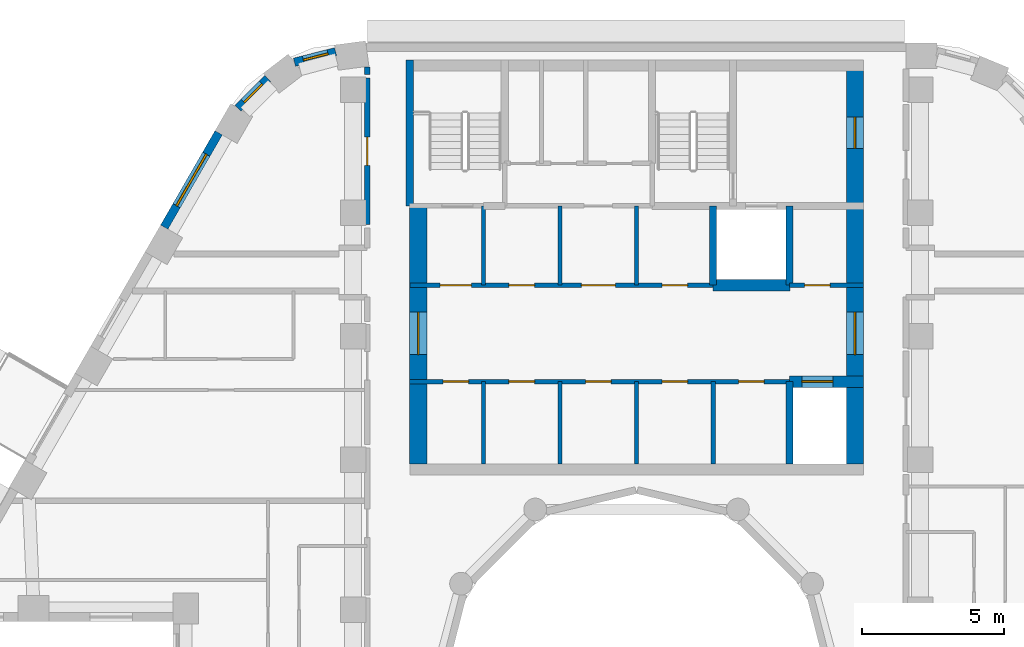
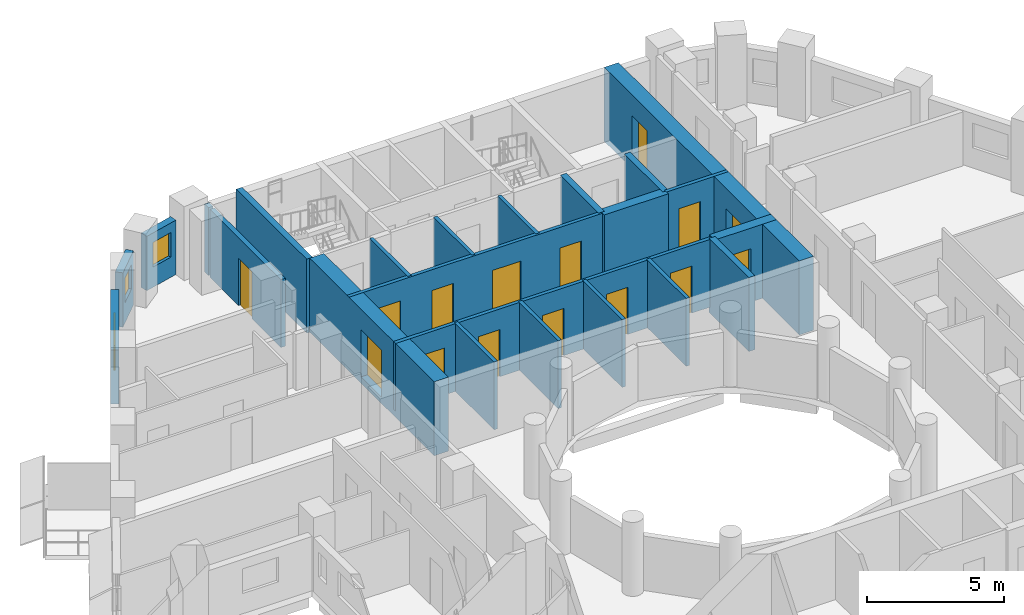
# One storey, part 7 of 13: 23 walls, 15 doors, 3 windows, 18 openings.
"""IFC4 building model written with IfcOpenShell, lengths in metres."""

import ifcopenshell
import ifcopenshell.guid

model = None  # the IFC model being written
_history = None  # IfcOwnerHistory: only IFC2X3 demands one
_inside = {}  # id of a spatial element -> (the spatial element, [elements in it])
_under = {}  # id of a project, library or spatial element -> (it, [spatial elements below it])
_declared = {}  # id of a project -> (the project, [libraries it declares])
_typed = {}  # id of a type object -> (the type object, [elements of that type])
_made_of = {}  # id of a material, layer set ... -> (it, [elements and type objects made of it])


def new_model(schema):
    """Start an empty IFC model of exactly this schema.

    Asked for "IFC4X3", IfcOpenShell would pick the latest addendum, in which some entities
    have other attributes; the version numbers below select the first issue.
    IFC2X3 requires an IfcOwnerHistory on every rooted entity: one is made here for all.
    """
    global model, _history
    if schema == "IFC4X3":
        model = ifcopenshell.file(schema_version=(4, 3, 0, 0))
    else:
        model = ifcopenshell.file(schema=schema)
    _inside.clear()
    _under.clear()
    _declared.clear()
    _typed.clear()
    _made_of.clear()
    _history = None
    if model.schema == "IFC2X3":
        org = make("IfcOrganization", Name="unknown")
        user = make(
            "IfcPersonAndOrganization",
            ThePerson=make("IfcPerson", FamilyName="unknown"),
            TheOrganization=org,
        )
        app = make(
            "IfcApplication",
            ApplicationDeveloper=org,
            Version="unknown",
            ApplicationFullName="unknown",
            ApplicationIdentifier="unknown",
        )
        _history = make(
            "IfcOwnerHistory",
            OwningUser=user,
            OwningApplication=app,
            ChangeAction="ADDED",
            CreationDate=0,
        )
    return model


def make(cls, **values):
    """One entity of the class cls with the attributes given. An attribute that is None is left unset."""
    return model.create_entity(
        cls, **{name: value for name, value in values.items() if value is not None}
    )


def rooted(cls, **values):
    """An entity with a GlobalId (a new one), such as an element, a storey or a relation."""
    return make(cls, GlobalId=ifcopenshell.guid.new(), OwnerHistory=_history, **values)


def si_unit(unit_type, name, prefix=None):
    """IfcSIUnit, for example si_unit("LENGTHUNIT", "METRE", prefix="MILLI")."""
    return make("IfcSIUnit", UnitType=unit_type, Prefix=prefix, Name=name)


def assignment(units):
    """IfcUnitAssignment: the units of a project."""
    return None if units is None else make("IfcUnitAssignment", Units=units)


def point(xyz):
    """IfcCartesianPoint."""
    return None if xyz is None else make("IfcCartesianPoint", Coordinates=xyz)


def direction(xyz):
    """IfcDirection."""
    return None if xyz is None else make("IfcDirection", DirectionRatios=xyz)


def frame(location, z_axis=None, x_axis=None):
    """IfcAxis2Placement3D, a coordinate frame: its origin and axes. An axis left out is left unset."""
    return make(
        "IfcAxis2Placement3D",
        Location=point(location),
        Axis=direction(z_axis),
        RefDirection=direction(x_axis),
    )


def frame_2d(location, x_axis=None):
    """IfcAxis2Placement2D, a coordinate frame in the plane: its origin and x axis."""
    return make(
        "IfcAxis2Placement2D", Location=point(location), RefDirection=direction(x_axis)
    )


def origin():
    """The frame at (0, 0, 0) with its axes left unset."""
    return frame((0.0, 0.0, 0.0))


def place(relative_to, where):
    """IfcLocalPlacement: puts the frame where relative to a parent placement (None: the world)."""
    return make(
        "IfcLocalPlacement", PlacementRelTo=relative_to, RelativePlacement=where
    )


def context(
    kind, dimensions, precision=None, world=None, true_north=None, identifier=None
):
    """IfcGeometricRepresentationContext, for example the 3D "Model" context."""
    return make(
        "IfcGeometricRepresentationContext",
        ContextIdentifier=identifier,
        ContextType=kind,
        CoordinateSpaceDimension=dimensions,
        Precision=precision,
        WorldCoordinateSystem=world,
        TrueNorth=true_north,
    )


def subcontext(parent, identifier, kind, view, scale=None):
    """IfcGeometricRepresentationSubContext, for example "Body" below "Model"."""
    return make(
        "IfcGeometricRepresentationSubContext",
        ContextIdentifier=identifier,
        ContextType=kind,
        ParentContext=parent,
        TargetScale=scale,
        TargetView=view,
    )


def project(units=None, contexts=None):
    """IfcProject with its units and contexts."""
    return rooted(
        "IfcProject",
        Name="project",
        RepresentationContexts=contexts,
        UnitsInContext=assignment(units),
    )


def spatial(cls, under=None, at=None, **own):
    """A site, building, storey or space (cls), placed at a placement, below another one or the project."""
    s = rooted(cls, ObjectPlacement=at, **own)
    if under is not None:
        _under.setdefault(under.id(), (under, []))[1].append(s)
    return s


def profile(cls, at=None, kind="AREA", **sizes):
    """A parametric profile (cls). Its sizes go by their IFC names, for example OverallWidth=200.0."""
    return make(cls, ProfileType=kind, Position=at, **sizes)


def rectangle(**sizes):
    """IfcRectangleProfileDef."""
    return profile("IfcRectangleProfileDef", **sizes)


def extrude(swept, where, along, depth):
    """IfcExtrudedAreaSolid: the profile swept, set in the frame where, extruded along a direction by depth."""
    return make(
        "IfcExtrudedAreaSolid",
        SweptArea=swept,
        Position=where,
        ExtrudedDirection=direction(along),
        Depth=depth,
    )


def shape(context_of_items, identifier, shape_type, items):
    """IfcShapeRepresentation: the items that make up one representation, for example the "Body"."""
    return make(
        "IfcShapeRepresentation",
        ContextOfItems=context_of_items,
        RepresentationIdentifier=identifier,
        RepresentationType=shape_type,
        Items=items,
    )


def material(Name=None, Category=None):
    """IfcMaterial."""
    return make("IfcMaterial", Name=Name, Category=Category)


def layer(
    of_material, thickness, ventilated=None, Name=None, Category=None, Priority=None
):
    """IfcMaterialLayer: one layer of a wall or slab, of a material (None: an air gap)."""
    return make(
        "IfcMaterialLayer",
        Material=of_material,
        LayerThickness=thickness,
        IsVentilated=ventilated,
        Name=Name,
        Category=Category,
        Priority=Priority,
    )


def layer_set(layers, Name=None):
    """IfcMaterialLayerSet."""
    return make("IfcMaterialLayerSet", MaterialLayers=layers, LayerSetName=Name)


def made_of(thing, what):
    """Note that an element or type object is made of a material, layer set ...; save() writes the relation."""
    if what is not None:
        _made_of.setdefault(what.id(), (what, []))[1].append(thing)
    return thing


def type_object(cls, material=None, **own):
    """A type object (cls), such as IfcWallType, which elements share."""
    return made_of(rooted(cls, **own), material)


def element(
    cls,
    number,
    at=None,
    inside=None,
    cuts=None,
    type_object=None,
    material=None,
    context=None,
    identifier="Body",
    shape_type=None,
    held_by="IfcProductDefinitionShape",
    body=None,
    shapes=None,
    **own,
):
    """One element of the class cls, such as IfcWall. Its Tag is "e" and its number.

    at: its placement. inside: the storey or other place that contains it. cuts: it is an
    opening in that element (IfcRelVoidsElement). A single representation is given by context,
    identifier, shape_type and body (its items); several are given by shapes. held_by: the class
    of the entity that holds the representations. save() writes the other relations.
    """
    e = rooted(cls, Tag="e%d" % number, ObjectPlacement=at, **own)
    if body is not None:
        shapes = [shape(context, identifier, shape_type, body)]
    if shapes is not None:
        e.Representation = make(held_by, Representations=shapes)
    if inside is not None:
        _inside.setdefault(inside.id(), (inside, []))[1].append(e)
    if cuts is not None:
        rooted(
            "IfcRelVoidsElement", RelatingBuildingElement=cuts, RelatedOpeningElement=e
        )
    if type_object is not None:
        _typed.setdefault(type_object.id(), (type_object, []))[1].append(e)
    return made_of(e, material)


def fill(opening, filler):
    """IfcRelFillsElement: the door or window that sits in an opening."""
    return rooted(
        "IfcRelFillsElement",
        RelatingOpeningElement=opening,
        RelatedBuildingElement=filler,
    )


def aggregate(whole, parts):
    """IfcRelAggregates: a whole, such as a stair, and the parts it consists of."""
    return rooted("IfcRelAggregates", RelatingObject=whole, RelatedObjects=parts)


def save(model, path):
    """Write the relations noted so far, then the file.

    IfcRelAggregates (storeys below a building ...), IfcRelContainedInSpatialStructure (elements
    in a storey), IfcRelDefinesByType, IfcRelAssociatesMaterial and IfcRelDeclares: one each for
    every whole, place, type object, material and project.
    """
    for whole, parts in _under.values():
        aggregate(whole, parts)
    for where, things in _inside.values():
        rooted(
            "IfcRelContainedInSpatialStructure",
            RelatedElements=things,
            RelatingStructure=where,
        )
    for kind, things in _typed.values():
        rooted("IfcRelDefinesByType", RelatedObjects=things, RelatingType=kind)
    for what, things in _made_of.values():
        rooted("IfcRelAssociatesMaterial", RelatedObjects=things, RelatingMaterial=what)
    for by, libraries in _declared.values():
        rooted("IfcRelDeclares", RelatingContext=by, RelatedDefinitions=libraries)
    model.write(path)


model = new_model("IFC4")

# Units and contexts
model_context = context("Model", 3, precision=1e-05, world=origin(), true_north=direction((0.0, 1.0)))
body_context = subcontext(model_context, "Body", "Model", "MODEL_VIEW")
ifc_project = project(units=[si_unit("LENGTHUNIT", "METRE"), si_unit("AREAUNIT", "SQUARE_METRE"), si_unit("VOLUMEUNIT", "CUBIC_METRE"), si_unit("PLANEANGLEUNIT", "RADIAN"), si_unit("MASSUNIT", "GRAM", prefix="KILO")], contexts=[model_context])

# Site, building, storey
site_placement = place(None, origin())
site = spatial("IfcSite", under=ifc_project, at=site_placement, CompositionType="ELEMENT")
building_placement = place(site_placement, origin())
building = spatial("IfcBuilding", under=site, at=building_placement, Name="Nakaniwa Court", CompositionType="ELEMENT")
storey_placement = place(building_placement, frame((0.0, 0.0, 239.39990234375)))
storey = spatial("IfcBuildingStorey", under=building, at=storey_placement, Name="L62", CompositionType="ELEMENT", Elevation=239.39990234375)

# Wall, opening, door
ifc_material_1 = material(Name="Acoustic double stud partition")
ifc_layer_1 = layer(ifc_material_1, 0.199951171875)
ifc_layer_set_1 = layer_set([ifc_layer_1], Name="Acoustic double stud partition")
wall_type_1 = type_object("IfcWallType", Name="Acoustic double stud partition 200", PredefinedType="PARTITIONING", material=ifc_layer_set_1)
wall_1_placement = place(storey_placement, frame((70.5, 96.237060546875, 0.0), z_axis=(0.0, 0.0, 1.0), x_axis=(0.0, 1.0, 0.0)))
wall_1 = element("IfcWall", 1, at=wall_1_placement, inside=storey, type_object=wall_type_1, Name="Partition PW-099", PredefinedType="PARTITIONING", context=body_context, shape_type="SweptSolid", body=[
    extrude(rectangle(XDim=5.176025390625, YDim=0.199951171875, at=frame_2d((2.587890625, 0.0))), origin(), (0.0, 0.0, 1.0), 3.025146484375),
])
opening_1_placement = place(wall_1_placement, frame((2.087890625, 0.0, 0.0)))
opening_1 = element("IfcOpeningElement", 2, at=opening_1_placement, cuts=wall_1, Name="Opening D-02-06", PredefinedType="OPENING", context=body_context, shape_type="SweptSolid", body=[
    extrude(rectangle(XDim=1.0, YDim=2.10009765625, at=frame_2d((0.5, 1.050048828125))), frame((0.0, 0.10986328125, 0.0), z_axis=(0.0, -1.0, 0.0), x_axis=(1.0, 0.0, 0.0)), (0.0, 0.0, 1.0), 0.219970703125),
])
ifc_material_2 = material(Name="Solid core timber door set, black veneer", Category="wood")
door_type_1 = type_object("IfcDoorType", Name="Internal door 1000", OperationType="NOTDEFINED", PredefinedType="DOOR", material=ifc_material_2)
door_1_placement = place(opening_1_placement, origin())
door_1 = element("IfcDoor", 3, at=door_1_placement, inside=storey, type_object=door_type_1, Name="Door D-02-06 L62-062", OperationType="SINGLE_SWING_LEFT", OverallHeight=2.10009765625, OverallWidth=1.0, PredefinedType="DOOR", context=body_context, shape_type="SweptSolid", body=[
    extrude(rectangle(XDim=1.0, YDim=2.10009765625, at=frame_2d((0.5, 1.050048828125))), frame((0.0, 0.02490234375, 0.0), z_axis=(0.0, -1.0, 0.0), x_axis=(1.0, 0.0, 0.0)), (0.0, 0.0, 1.0), 0.050048828125),
])
fill(opening_1, door_1)

# Wall
wall_2_placement = place(storey_placement, frame((70.5, 101.527099609375, 0.0), z_axis=(0.0, 0.0, 1.0), x_axis=(0.0, 1.0, 0.0)))
element("IfcWall", 4, at=wall_2_placement, inside=storey, type_object=wall_type_1, Name="Partition PW-100", PredefinedType="PARTITIONING", context=body_context, shape_type="SweptSolid", body=[
    extrude(rectangle(XDim=0.273681640625, YDim=0.199951171875, at=frame_2d((0.13671875, 0.0))), origin(), (0.0, 0.0, 1.0), 3.025146484375),
])

# Wall, opening, window
ifc_material_3 = material(Name="Charcoal ceramic cladding")
ifc_layer_2 = layer(ifc_material_3, 0.02, Name="Ceramic cladding")
ifc_material_4 = material(Name="Ventilated air cavity")
ifc_layer_3 = layer(ifc_material_4, 0.04, ventilated=True, Name="Ventilated cavity")
ifc_material_5 = material(Name="Mineral wool insulation")
ifc_layer_4 = layer(ifc_material_5, 0.1, Name="Insulation")
ifc_material_6 = material(Name="Cement bonded sheathing board")
ifc_layer_5 = layer(ifc_material_6, 0.012, Name="Sheathing")
ifc_material_7 = material(Name="Cold-formed galvanised stud frame with mineral wool infill")
ifc_layer_6 = layer(ifc_material_7, 0.1, Name="Stud frame")
ifc_material_8 = material(Name="Fire-rated gypsum plasterboard lining")
ifc_layer_7 = layer(ifc_material_8, 0.028, Name="Lining")
ifc_layer_set_2 = layer_set([ifc_layer_2, ifc_layer_3, ifc_layer_4, ifc_layer_5, ifc_layer_6, ifc_layer_7], Name="Charcoal ceramic faced external wall system")
wall_type_2 = type_object("IfcWallType", Name="Black ceramic faced external wall 300", PredefinedType="SOLIDWALL", material=ifc_layer_set_2)
wall_3_placement = place(storey_placement, frame((69.386474609375, 102.333251953125, 0.0), z_axis=(0.0, 0.0, 1.0), x_axis=(-0.968895303033, -0.247470991757, 0.0)))
wall_3 = element("IfcWall", 5, at=wall_3_placement, inside=storey, type_object=wall_type_2, Name="L62 external wall 09", PredefinedType="SOLIDWALL", context=body_context, shape_type="SweptSolid", body=[
    extrude(rectangle(XDim=1.50048828125, YDim=0.300048828125, at=frame_2d((0.750244140625, 0.0))), origin(), (0.0, 0.0, 1.0), 2.425048828125),
])
opening_2_placement = place(wall_3_placement, frame((0.27587890625, 0.0, 0.89990234375)))
opening_2 = element("IfcOpeningElement", 6, at=opening_2_placement, cuts=wall_3, Name="Opening W9.09", PredefinedType="OPENING", context=body_context, shape_type="SweptSolid", body=[
    extrude(rectangle(XDim=0.89990234375, YDim=1.10009765625, at=frame_2d((0.449951171875, 0.550048828125))), frame((0.0, 0.159912109375, 0.0), z_axis=(0.0, -1.0, 0.0), x_axis=(1.0, 0.0, 0.0)), (0.0, 0.0, 1.0), 0.320068359375),
])
ifc_material_9 = material(Name="Black anodised aluminium frame with dark low-E laminated double glazing", Category="aluminium")
window_type_1 = type_object("IfcWindowType", Name="Dark glass window 900x1100 sill 900", PartitioningType="SINGLE_PANEL", PredefinedType="WINDOW", material=ifc_material_9)
window_1_placement = place(opening_2_placement, origin())
window_1 = element("IfcWindow", 7, at=window_1_placement, inside=storey, type_object=window_type_1, Name="L62 habitable room window 09-0", OverallHeight=1.10009765625, OverallWidth=0.89990234375, PartitioningType="SINGLE_PANEL", PredefinedType="WINDOW", context=body_context, shape_type="SweptSolid", body=[
    extrude(rectangle(XDim=0.89990234375, YDim=1.10009765625, at=frame_2d((0.449951171875, 0.550048828125))), frame((0.0, 0.030029296875, 0.0), z_axis=(0.0, -1.0, 0.0), x_axis=(1.0, 0.0, 0.0)), (0.0, 0.0, 1.0), 0.06005859375),
])
fill(opening_2, window_1)

wall_4_placement = place(storey_placement, frame((66.99560546875, 101.388427734375, 0.0), z_axis=(0.0, 0.0, 1.0), x_axis=(-0.708589353117, -0.705621094249, 0.0)))
wall_4 = element("IfcWall", 8, at=wall_4_placement, inside=storey, type_object=wall_type_2, Name="L62 external wall 10", PredefinedType="SOLIDWALL", context=body_context, shape_type="SweptSolid", body=[
    extrude(rectangle(XDim=1.48046875, YDim=0.300048828125, at=frame_2d((0.740234375, 0.0))), origin(), (0.0, 0.0, 1.0), 2.425048828125),
])
opening_3_placement = place(wall_4_placement, frame((0.27978515625, 0.0, 0.89990234375)))
opening_3 = element("IfcOpeningElement", 9, at=opening_3_placement, cuts=wall_4, Name="Opening W9.10", PredefinedType="OPENING", context=body_context, shape_type="SweptSolid", body=[
    extrude(rectangle(XDim=0.89990234375, YDim=1.10009765625, at=frame_2d((0.449951171875, 0.550048828125))), frame((0.0, 0.159912109375, 0.0), z_axis=(0.0, -1.0, 0.0), x_axis=(1.0, 0.0, 0.0)), (0.0, 0.0, 1.0), 0.320068359375),
])
window_2_placement = place(opening_3_placement, origin())
window_2 = element("IfcWindow", 10, at=window_2_placement, inside=storey, type_object=window_type_1, Name="L62 habitable room window 10-0", OverallHeight=1.10009765625, OverallWidth=0.89990234375, PartitioningType="SINGLE_PANEL", PredefinedType="WINDOW", context=body_context, shape_type="SweptSolid", body=[
    extrude(rectangle(XDim=0.89990234375, YDim=1.10009765625, at=frame_2d((0.449951171875, 0.550048828125))), frame((0.0, 0.030029296875, 0.0), z_axis=(0.0, -1.0, 0.0), x_axis=(1.0, 0.0, 0.0)), (0.0, 0.0, 1.0), 0.06005859375),
])
fill(opening_3, window_2)

wall_5_placement = place(storey_placement, frame((65.26416015625, 99.476806640625, 0.0), z_axis=(0.0, 0.0, 1.0), x_axis=(-0.499984490703, -0.866034357896, 0.0)))
wall_5 = element("IfcWall", 11, at=wall_5_placement, inside=storey, type_object=wall_type_2, Name="L62 external wall 11", PredefinedType="SOLIDWALL", context=body_context, shape_type="SweptSolid", body=[
    extrude(rectangle(XDim=3.84423828125, YDim=0.300048828125, at=frame_2d((1.922119140625, 0.0))), origin(), (0.0, 0.0, 1.0), 2.425048828125),
])
opening_4_placement = place(wall_5_placement, frame((0.8720703125, 0.0, 0.89990234375)))
opening_4 = element("IfcOpeningElement", 12, at=opening_4_placement, cuts=wall_5, Name="Opening W7.11", PredefinedType="OPENING", context=body_context, shape_type="SweptSolid", body=[
    extrude(rectangle(XDim=2.10009765625, YDim=1.10009765625, at=frame_2d((1.050048828125, 0.550048828125))), frame((0.0, 0.159912109375, 0.0), z_axis=(0.0, -1.0, 0.0), x_axis=(1.0, 0.0, 0.0)), (0.0, 0.0, 1.0), 0.320068359375),
])
window_type_2 = type_object("IfcWindowType", Name="Dark glass window 2100x1100 sill 900", PartitioningType="SINGLE_PANEL", PredefinedType="WINDOW", material=ifc_material_9)
window_3_placement = place(opening_4_placement, origin())
window_3 = element("IfcWindow", 13, at=window_3_placement, inside=storey, type_object=window_type_2, Name="L62 habitable room window 11-0", OverallHeight=1.10009765625, OverallWidth=2.10009765625, PartitioningType="SINGLE_PANEL", PredefinedType="WINDOW", context=body_context, shape_type="SweptSolid", body=[
    extrude(rectangle(XDim=2.10009765625, YDim=1.10009765625, at=frame_2d((1.050048828125, 0.550048828125))), frame((0.0, 0.030029296875, 0.0), z_axis=(0.0, -1.0, 0.0), x_axis=(1.0, 0.0, 0.0)), (0.0, 0.0, 1.0), 0.06005859375),
])
fill(opening_4, window_3)

# Walls
ifc_material_10 = material(Name="Blockwork partition", Category="masonry")
ifc_layer_8 = layer(ifc_material_10, 0.14990234375)
ifc_layer_set_3 = layer_set([ifc_layer_8], Name="Blockwork partition")
wall_type_3 = type_object("IfcWallType", Name="Blockwork partition 150", PredefinedType="PARTITIONING", material=ifc_layer_set_3)
wall_6_placement = place(storey_placement, frame((74.60009765625, 87.800048828125, 0.0), z_axis=(0.0, 0.0, 1.0), x_axis=(0.0, 1.0, 0.0)))
element("IfcWall", 14, at=wall_6_placement, inside=storey, type_object=wall_type_3, Name="Partition PW-001", PredefinedType="PARTITIONING", context=body_context, shape_type="SweptSolid", body=[
    extrude(rectangle(XDim=2.89990234375, YDim=0.14990234375, at=frame_2d((1.449951171875, 0.0))), origin(), (0.0, 0.0, 1.0), 3.025146484375),
])
wall_7_placement = place(storey_placement, frame((74.60009765625, 94.10009765625, 0.0), z_axis=(0.0, 0.0, 1.0), x_axis=(0.0, 1.0, 0.0)))
element("IfcWall", 15, at=wall_7_placement, inside=storey, type_object=wall_type_3, Name="Partition PW-002", PredefinedType="PARTITIONING", context=body_context, shape_type="SweptSolid", body=[
    extrude(rectangle(XDim=2.7998046875, YDim=0.14990234375, at=frame_2d((1.39990234375, 0.0))), origin(), (0.0, 0.0, 1.0), 3.025146484375),
])

# Wall, openings, doors
wall_8_placement = place(storey_placement, frame((85.39990234375, 90.699951171875, 0.0), z_axis=(0.0, 0.0, 1.0), x_axis=(-1.0, 0.0, 0.0)))
wall_8 = element("IfcWall", 16, at=wall_8_placement, inside=storey, type_object=wall_type_3, Name="Partition PW-003", PredefinedType="PARTITIONING", context=body_context, shape_type="SweptSolid", body=[
    extrude(rectangle(XDim=13.39990234375, YDim=0.14990234375, at=frame_2d((6.699951171875, 0.0))), origin(), (0.0, 0.0, 1.0), 3.025146484375),
])
opening_5_placement = place(wall_8_placement, frame((11.324951171875, 0.0, 0.0)))
opening_5 = element("IfcOpeningElement", 17, at=opening_5_placement, cuts=wall_8, Name="Opening D-05-01", PredefinedType="OPENING", context=body_context, shape_type="SweptSolid", body=[
    extrude(rectangle(XDim=0.89990234375, YDim=2.10009765625, at=frame_2d((0.449951171875, 1.050048828125))), frame((0.0, 0.0849609375, 0.0), z_axis=(0.0, -1.0, 0.0), x_axis=(1.0, 0.0, 0.0)), (0.0, 0.0, 1.0), 0.169921875),
])
opening_6_placement = place(wall_8_placement, frame((9.0, 0.0, 0.0)))
opening_6 = element("IfcOpeningElement", 18, at=opening_6_placement, cuts=wall_8, Name="Opening D-05-02", PredefinedType="OPENING", context=body_context, shape_type="SweptSolid", body=[
    extrude(rectangle(XDim=0.89990234375, YDim=2.10009765625, at=frame_2d((0.449951171875, 1.050048828125))), frame((0.0, 0.0849609375, 0.0), z_axis=(0.0, -1.0, 0.0), x_axis=(1.0, 0.0, 0.0)), (0.0, 0.0, 1.0), 0.169921875),
])
opening_7_placement = place(wall_8_placement, frame((6.300048828125, 0.0, 0.0)))
opening_7 = element("IfcOpeningElement", 19, at=opening_7_placement, cuts=wall_8, Name="Opening D-05-03", PredefinedType="OPENING", context=body_context, shape_type="SweptSolid", body=[
    extrude(rectangle(XDim=0.89990234375, YDim=2.10009765625, at=frame_2d((0.449951171875, 1.050048828125))), frame((0.0, 0.0849609375, 0.0), z_axis=(0.0, -1.0, 0.0), x_axis=(1.0, 0.0, 0.0)), (0.0, 0.0, 1.0), 0.169921875),
])
opening_8_placement = place(wall_8_placement, frame((3.60009765625, 0.0, 0.0)))
opening_8 = element("IfcOpeningElement", 20, at=opening_8_placement, cuts=wall_8, Name="Opening D-05-04", PredefinedType="OPENING", context=body_context, shape_type="SweptSolid", body=[
    extrude(rectangle(XDim=0.89990234375, YDim=2.10009765625, at=frame_2d((0.449951171875, 1.050048828125))), frame((0.0, 0.0849609375, 0.0), z_axis=(0.0, -1.0, 0.0), x_axis=(1.0, 0.0, 0.0)), (0.0, 0.0, 1.0), 0.169921875),
])
opening_9_placement = place(wall_8_placement, frame((0.89990234375, 0.0, 0.0)))
opening_9 = element("IfcOpeningElement", 21, at=opening_9_placement, cuts=wall_8, Name="Opening D-05-05", PredefinedType="OPENING", context=body_context, shape_type="SweptSolid", body=[
    extrude(rectangle(XDim=0.89990234375, YDim=2.10009765625, at=frame_2d((0.449951171875, 1.050048828125))), frame((0.0, 0.0849609375, 0.0), z_axis=(0.0, -1.0, 0.0), x_axis=(1.0, 0.0, 0.0)), (0.0, 0.0, 1.0), 0.169921875),
])
ifc_material_11 = material(Name="Fire rated steel door set", Category="steel")
door_type_2 = type_object("IfcDoorType", Name="Service room door 900", OperationType="NOTDEFINED", PredefinedType="DOOR", material=ifc_material_11)
door_2_placement = place(opening_5_placement, origin())
door_2 = element("IfcDoor", 22, at=door_2_placement, inside=storey, type_object=door_type_2, Name="Door D-05-01 L62-001", OperationType="SINGLE_SWING_RIGHT", OverallHeight=2.10009765625, OverallWidth=0.89990234375, PredefinedType="DOOR", context=body_context, shape_type="SweptSolid", body=[
    extrude(rectangle(XDim=0.89990234375, YDim=2.10009765625, at=frame_2d((0.449951171875, 1.050048828125))), frame((0.0, 0.02490234375, 0.0), z_axis=(0.0, -1.0, 0.0), x_axis=(1.0, 0.0, 0.0)), (0.0, 0.0, 1.0), 0.050048828125),
])
fill(opening_5, door_2)
door_3_placement = place(opening_6_placement, origin())
door_3 = element("IfcDoor", 23, at=door_3_placement, inside=storey, type_object=door_type_2, Name="Door D-05-02 L62-002", OperationType="SINGLE_SWING_LEFT", OverallHeight=2.10009765625, OverallWidth=0.89990234375, PredefinedType="DOOR", context=body_context, shape_type="SweptSolid", body=[
    extrude(rectangle(XDim=0.89990234375, YDim=2.10009765625, at=frame_2d((0.449951171875, 1.050048828125))), frame((0.0, 0.02490234375, 0.0), z_axis=(0.0, -1.0, 0.0), x_axis=(1.0, 0.0, 0.0)), (0.0, 0.0, 1.0), 0.050048828125),
])
fill(opening_6, door_3)
door_4_placement = place(opening_7_placement, origin())
door_4 = element("IfcDoor", 24, at=door_4_placement, inside=storey, type_object=door_type_2, Name="Door D-05-03 L62-003", OperationType="SINGLE_SWING_RIGHT", OverallHeight=2.10009765625, OverallWidth=0.89990234375, PredefinedType="DOOR", context=body_context, shape_type="SweptSolid", body=[
    extrude(rectangle(XDim=0.89990234375, YDim=2.10009765625, at=frame_2d((0.449951171875, 1.050048828125))), frame((0.0, 0.02490234375, 0.0), z_axis=(0.0, -1.0, 0.0), x_axis=(1.0, 0.0, 0.0)), (0.0, 0.0, 1.0), 0.050048828125),
])
fill(opening_7, door_4)
door_5_placement = place(opening_8_placement, origin())
door_5 = element("IfcDoor", 25, at=door_5_placement, inside=storey, type_object=door_type_2, Name="Door D-05-04 L62-004", OperationType="SINGLE_SWING_LEFT", OverallHeight=2.10009765625, OverallWidth=0.89990234375, PredefinedType="DOOR", context=body_context, shape_type="SweptSolid", body=[
    extrude(rectangle(XDim=0.89990234375, YDim=2.10009765625, at=frame_2d((0.449951171875, 1.050048828125))), frame((0.0, 0.02490234375, 0.0), z_axis=(0.0, -1.0, 0.0), x_axis=(1.0, 0.0, 0.0)), (0.0, 0.0, 1.0), 0.050048828125),
])
fill(opening_8, door_5)
door_6_placement = place(opening_9_placement, origin())
door_6 = element("IfcDoor", 26, at=door_6_placement, inside=storey, type_object=door_type_2, Name="Door D-05-05 L62-005", OperationType="SINGLE_SWING_RIGHT", OverallHeight=2.10009765625, OverallWidth=0.89990234375, PredefinedType="DOOR", context=body_context, shape_type="SweptSolid", body=[
    extrude(rectangle(XDim=0.89990234375, YDim=2.10009765625, at=frame_2d((0.449951171875, 1.050048828125))), frame((0.0, 0.02490234375, 0.0), z_axis=(0.0, -1.0, 0.0), x_axis=(1.0, 0.0, 0.0)), (0.0, 0.0, 1.0), 0.050048828125),
])
fill(opening_9, door_6)

# Walls
wall_9_placement = place(storey_placement, frame((77.300048828125, 87.800048828125, 0.0), z_axis=(0.0, 0.0, 1.0), x_axis=(0.0, 1.0, 0.0)))
element("IfcWall", 27, at=wall_9_placement, inside=storey, type_object=wall_type_3, Name="Partition PW-009", PredefinedType="PARTITIONING", context=body_context, shape_type="SweptSolid", body=[
    extrude(rectangle(XDim=2.89990234375, YDim=0.14990234375, at=frame_2d((1.449951171875, 0.0))), origin(), (0.0, 0.0, 1.0), 3.025146484375),
])
wall_10_placement = place(storey_placement, frame((77.300048828125, 94.10009765625, 0.0), z_axis=(0.0, 0.0, 1.0), x_axis=(0.0, 1.0, 0.0)))
element("IfcWall", 28, at=wall_10_placement, inside=storey, type_object=wall_type_3, Name="Partition PW-010", PredefinedType="PARTITIONING", context=body_context, shape_type="SweptSolid", body=[
    extrude(rectangle(XDim=2.7998046875, YDim=0.14990234375, at=frame_2d((1.39990234375, 0.0))), origin(), (0.0, 0.0, 1.0), 3.025146484375),
])
wall_11_placement = place(storey_placement, frame((80.0, 87.800048828125, 0.0), z_axis=(0.0, 0.0, 1.0), x_axis=(0.0, 1.0, 0.0)))
element("IfcWall", 29, at=wall_11_placement, inside=storey, type_object=wall_type_3, Name="Partition PW-011", PredefinedType="PARTITIONING", context=body_context, shape_type="SweptSolid", body=[
    extrude(rectangle(XDim=2.89990234375, YDim=0.14990234375, at=frame_2d((1.449951171875, 0.0))), origin(), (0.0, 0.0, 1.0), 3.025146484375),
])
wall_12_placement = place(storey_placement, frame((80.0, 94.10009765625, 0.0), z_axis=(0.0, 0.0, 1.0), x_axis=(0.0, 1.0, 0.0)))
element("IfcWall", 30, at=wall_12_placement, inside=storey, type_object=wall_type_3, Name="Partition PW-012", PredefinedType="PARTITIONING", context=body_context, shape_type="SweptSolid", body=[
    extrude(rectangle(XDim=2.7998046875, YDim=0.14990234375, at=frame_2d((1.39990234375, 0.0))), origin(), (0.0, 0.0, 1.0), 3.025146484375),
])
wall_13_placement = place(storey_placement, frame((82.699951171875, 87.800048828125, 0.0), z_axis=(0.0, 0.0, 1.0), x_axis=(0.0, 1.0, 0.0)))
element("IfcWall", 31, at=wall_13_placement, inside=storey, type_object=wall_type_3, Name="Partition PW-013", PredefinedType="PARTITIONING", context=body_context, shape_type="SweptSolid", body=[
    extrude(rectangle(XDim=2.89990234375, YDim=0.14990234375, at=frame_2d((1.449951171875, 0.0))), origin(), (0.0, 0.0, 1.0), 3.025146484375),
])

# Wall, openings, doors
wall_14_placement = place(storey_placement, frame((72.0, 94.10009765625, 0.0), z_axis=(0.0, 0.0, 1.0), x_axis=(1.0, 0.0, 0.0)))
wall_14 = element("IfcWall", 32, at=wall_14_placement, inside=storey, type_object=wall_type_3, Name="Partition PW-014", PredefinedType="PARTITIONING", context=body_context, shape_type="SweptSolid", body=[
    extrude(rectangle(XDim=10.702880859375, YDim=0.14990234375, at=frame_2d((5.3515625, 0.0))), origin(), (0.0, 0.0, 1.0), 3.025146484375),
])
opening_10_placement = place(wall_14_placement, frame((1.074951171875, 0.0, 0.0)))
opening_10 = element("IfcOpeningElement", 33, at=opening_10_placement, cuts=wall_14, Name="Opening D-08-01", PredefinedType="OPENING", context=body_context, shape_type="SweptSolid", body=[
    extrude(rectangle(XDim=1.10009765625, YDim=2.10009765625, at=frame_2d((0.550048828125, 1.050048828125))), frame((0.0, 0.0849609375, 0.0), z_axis=(0.0, -1.0, 0.0), x_axis=(1.0, 0.0, 0.0)), (0.0, 0.0, 1.0), 0.169921875),
])
opening_11_placement = place(wall_14_placement, frame((3.5, 0.0, 0.0)))
opening_11 = element("IfcOpeningElement", 34, at=opening_11_placement, cuts=wall_14, Name="Opening D-05-06", PredefinedType="OPENING", context=body_context, shape_type="SweptSolid", body=[
    extrude(rectangle(XDim=0.89990234375, YDim=2.10009765625, at=frame_2d((0.449951171875, 1.050048828125))), frame((0.0, 0.0849609375, 0.0), z_axis=(0.0, -1.0, 0.0), x_axis=(1.0, 0.0, 0.0)), (0.0, 0.0, 1.0), 0.169921875),
])
opening_12_placement = place(wall_14_placement, frame((6.050048828125, 0.0, 0.0)))
opening_12 = element("IfcOpeningElement", 35, at=opening_12_placement, cuts=wall_14, Name="Opening D-06-01", PredefinedType="OPENING", context=body_context, shape_type="SweptSolid", body=[
    extrude(rectangle(XDim=1.199951171875, YDim=2.10009765625, at=frame_2d((0.60009765625, 1.050048828125))), frame((0.0, 0.0849609375, 0.0), z_axis=(0.0, -1.0, 0.0), x_axis=(1.0, 0.0, 0.0)), (0.0, 0.0, 1.0), 0.169921875),
])
opening_13_placement = place(wall_14_placement, frame((8.89990234375, 0.0, 0.0)))
opening_13 = element("IfcOpeningElement", 36, at=opening_13_placement, cuts=wall_14, Name="Opening D-05-07", PredefinedType="OPENING", context=body_context, shape_type="SweptSolid", body=[
    extrude(rectangle(XDim=0.89990234375, YDim=2.10009765625, at=frame_2d((0.449951171875, 1.050048828125))), frame((0.0, 0.0849609375, 0.0), z_axis=(0.0, -1.0, 0.0), x_axis=(1.0, 0.0, 0.0)), (0.0, 0.0, 1.0), 0.169921875),
])
ifc_material_12 = material(Name="Fire rated steel double door set", Category="steel")
door_type_3 = type_object("IfcDoorType", Name="Service passage double door 1200", OperationType="NOTDEFINED", PredefinedType="DOOR", material=ifc_material_12)
door_7_placement = place(opening_12_placement, origin())
door_7 = element("IfcDoor", 37, at=door_7_placement, inside=storey, type_object=door_type_3, Name="Door D-06-01 L62-008", OperationType="DOUBLE_DOOR_SINGLE_SWING", OverallHeight=2.10009765625, OverallWidth=1.199951171875, PredefinedType="DOOR", context=body_context, shape_type="SweptSolid", body=[
    extrude(rectangle(XDim=1.199951171875, YDim=2.10009765625, at=frame_2d((0.60009765625, 1.050048828125))), frame((0.0, 0.02490234375, 0.0), z_axis=(0.0, -1.0, 0.0), x_axis=(1.0, 0.0, 0.0)), (0.0, 0.0, 1.0), 0.050048828125),
])
fill(opening_12, door_7)
door_8_placement = place(opening_11_placement, origin())
door_8 = element("IfcDoor", 38, at=door_8_placement, inside=storey, type_object=door_type_2, Name="Door D-05-06 L62-007", OperationType="SINGLE_SWING_RIGHT", OverallHeight=2.10009765625, OverallWidth=0.89990234375, PredefinedType="DOOR", context=body_context, shape_type="SweptSolid", body=[
    extrude(rectangle(XDim=0.89990234375, YDim=2.10009765625, at=frame_2d((0.449951171875, 1.050048828125))), frame((0.0, 0.02490234375, 0.0), z_axis=(0.0, -1.0, 0.0), x_axis=(1.0, 0.0, 0.0)), (0.0, 0.0, 1.0), 0.050048828125),
])
fill(opening_11, door_8)
door_9_placement = place(opening_13_placement, origin())
door_9 = element("IfcDoor", 39, at=door_9_placement, inside=storey, type_object=door_type_2, Name="Door D-05-07 L62-009", OperationType="SINGLE_SWING_RIGHT", OverallHeight=2.10009765625, OverallWidth=0.89990234375, PredefinedType="DOOR", context=body_context, shape_type="SweptSolid", body=[
    extrude(rectangle(XDim=0.89990234375, YDim=2.10009765625, at=frame_2d((0.449951171875, 1.050048828125))), frame((0.0, 0.02490234375, 0.0), z_axis=(0.0, -1.0, 0.0), x_axis=(1.0, 0.0, 0.0)), (0.0, 0.0, 1.0), 0.050048828125),
])
fill(opening_13, door_9)
door_type_4 = type_object("IfcDoorType", Name="Stair lobby door 1100", OperationType="NOTDEFINED", PredefinedType="DOOR", material=ifc_material_11)
door_10_placement = place(opening_10_placement, origin())
door_10 = element("IfcDoor", 40, at=door_10_placement, inside=storey, type_object=door_type_4, Name="Door D-08-01 L62-006", OperationType="SINGLE_SWING_LEFT", OverallHeight=2.10009765625, OverallWidth=1.10009765625, PredefinedType="DOOR", context=body_context, shape_type="SweptSolid", body=[
    extrude(rectangle(XDim=1.10009765625, YDim=2.10009765625, at=frame_2d((0.550048828125, 1.050048828125))), frame((0.0, 0.02490234375, 0.0), z_axis=(0.0, -1.0, 0.0), x_axis=(1.0, 0.0, 0.0)), (0.0, 0.0, 1.0), 0.050048828125),
])
fill(opening_10, door_10)

# Wall, opening, door
wall_15_placement = place(storey_placement, frame((85.39697265625, 94.10009765625, 0.0), z_axis=(0.0, 0.0, 1.0), x_axis=(1.0, 0.0, 0.0)))
wall_15 = element("IfcWall", 41, at=wall_15_placement, inside=storey, type_object=wall_type_3, Name="Partition PW-015", PredefinedType="PARTITIONING", context=body_context, shape_type="SweptSolid", body=[
    extrude(rectangle(XDim=2.60302734375, YDim=0.14990234375, at=frame_2d((1.301513671875, 0.0))), origin(), (0.0, 0.0, 1.0), 3.025146484375),
])
opening_14_placement = place(wall_15_placement, frame((0.528076171875, 0.0, 0.0)))
opening_14 = element("IfcOpeningElement", 42, at=opening_14_placement, cuts=wall_15, Name="Opening D-05-08", PredefinedType="OPENING", context=body_context, shape_type="SweptSolid", body=[
    extrude(rectangle(XDim=0.89990234375, YDim=2.10009765625, at=frame_2d((0.449951171875, 1.050048828125))), frame((0.0, 0.0849609375, 0.0), z_axis=(0.0, -1.0, 0.0), x_axis=(1.0, 0.0, 0.0)), (0.0, 0.0, 1.0), 0.169921875),
])
door_11_placement = place(opening_14_placement, origin())
door_11 = element("IfcDoor", 43, at=door_11_placement, inside=storey, type_object=door_type_2, Name="Door D-05-08 L62-010", OperationType="SINGLE_SWING_LEFT", OverallHeight=2.10009765625, OverallWidth=0.89990234375, PredefinedType="DOOR", context=body_context, shape_type="SweptSolid", body=[
    extrude(rectangle(XDim=0.89990234375, YDim=2.10009765625, at=frame_2d((0.449951171875, 1.050048828125))), frame((0.0, 0.02490234375, 0.0), z_axis=(0.0, -1.0, 0.0), x_axis=(1.0, 0.0, 0.0)), (0.0, 0.0, 1.0), 0.050048828125),
])
fill(opening_14, door_11)

ifc_material_13 = material(Name="Concrete C80/100", Category="concrete")
ifc_layer_9 = layer(ifc_material_13, 0.60009765625)
ifc_layer_set_4 = layer_set([ifc_layer_9], Name="Concrete C80/100")
wall_type_4 = type_object("IfcWallType", Name="Concrete core side wall 600 C80", PredefinedType="SHEAR", material=ifc_layer_set_4)
wall_16_placement = place(storey_placement, frame((72.300048828125, 87.800048828125, -0.27490234375), z_axis=(0.0, 0.0, 1.0), x_axis=(0.0, 1.0, 0.0)))
wall_16 = element("IfcWall", 44, at=wall_16_placement, inside=storey, type_object=wall_type_4, Name="Core wall SW-04", PredefinedType="SHEAR", context=body_context, shape_type="SweptSolid", body=[
    extrude(rectangle(XDim=9.099853515625, YDim=0.60009765625, at=frame_2d((4.5498046875, 0.0))), origin(), (0.0, 0.0, 1.0), 3.300048828125),
])
opening_15_placement = place(wall_16_placement, frame((3.85009765625, 0.0, 0.27490234375)))
opening_15 = element("IfcOpeningElement", 45, at=opening_15_placement, cuts=wall_16, Name="Opening D-07-02", PredefinedType="OPENING", context=body_context, shape_type="SweptSolid", body=[
    extrude(rectangle(XDim=1.5, YDim=2.10009765625, at=frame_2d((0.75, 1.050048828125))), frame((0.0, 0.31005859375, 0.0), z_axis=(0.0, -1.0, 0.0), x_axis=(1.0, 0.0, 0.0)), (0.0, 0.0, 1.0), 0.6201171875),
])
ifc_material_14 = material(Name="Glazed fire rated steel double door set", Category="steel")
door_type_5 = type_object("IfcDoorType", Name="Lobby double door 1500", OperationType="NOTDEFINED", PredefinedType="DOOR", material=ifc_material_14)
door_12_placement = place(opening_15_placement, origin())
door_12 = element("IfcDoor", 46, at=door_12_placement, inside=storey, type_object=door_type_5, Name="Door D-07-02 L62-064", OperationType="DOUBLE_DOOR_SINGLE_SWING", OverallHeight=2.10009765625, OverallWidth=1.5, PredefinedType="DOOR", context=body_context, shape_type="SweptSolid", body=[
    extrude(rectangle(XDim=1.5, YDim=2.10009765625, at=frame_2d((0.75, 1.050048828125))), frame((0.0, 0.02490234375, 0.0), z_axis=(0.0, -1.0, 0.0), x_axis=(1.0, 0.0, 0.0)), (0.0, 0.0, 1.0), 0.050048828125),
])
fill(opening_15, door_12)

# Wall, openings, doors
wall_17_placement = place(storey_placement, frame((87.699951171875, 102.050048828125, -0.27490234375), z_axis=(0.0, 0.0, 1.0), x_axis=(0.0, -1.0, 0.0)))
wall_17 = element("IfcWall", 47, at=wall_17_placement, inside=storey, type_object=wall_type_4, Name="Core wall SW-08", PredefinedType="SHEAR", context=body_context, shape_type="SweptSolid", body=[
    extrude(rectangle(XDim=14.25, YDim=0.60009765625, at=frame_2d((7.125, 0.0))), origin(), (0.0, 0.0, 1.0), 3.300048828125),
])
opening_16_placement = place(wall_17_placement, frame((8.89990234375, 0.0, 0.27490234375)))
opening_16 = element("IfcOpeningElement", 48, at=opening_16_placement, cuts=wall_17, Name="Opening D-07-01", PredefinedType="OPENING", context=body_context, shape_type="SweptSolid", body=[
    extrude(rectangle(XDim=1.5, YDim=2.10009765625, at=frame_2d((0.75, 1.050048828125))), frame((0.0, 0.31005859375, 0.0), z_axis=(0.0, -1.0, 0.0), x_axis=(1.0, 0.0, 0.0)), (0.0, 0.0, 1.0), 0.6201171875),
])
opening_17_placement = place(wall_17_placement, frame((2.02490234375, 0.0, 0.27490234375)))
opening_17 = element("IfcOpeningElement", 49, at=opening_17_placement, cuts=wall_17, Name="Opening D-10-01", PredefinedType="OPENING", context=body_context, shape_type="SweptSolid", body=[
    extrude(rectangle(XDim=1.10009765625, YDim=2.10009765625, at=frame_2d((0.550048828125, 1.050048828125))), frame((0.0, 0.31005859375, 0.0), z_axis=(0.0, -1.0, 0.0), x_axis=(1.0, 0.0, 0.0)), (0.0, 0.0, 1.0), 0.6201171875),
])
door_type_6 = type_object("IfcDoorType", Name="Firefighting lobby door 1100", OperationType="NOTDEFINED", PredefinedType="DOOR", material=ifc_material_11)
door_13_placement = place(opening_17_placement, origin())
door_13 = element("IfcDoor", 50, at=door_13_placement, inside=storey, type_object=door_type_6, Name="Door D-10-01 L62-065", OperationType="SINGLE_SWING_RIGHT", OverallHeight=2.10009765625, OverallWidth=1.10009765625, PredefinedType="DOOR", context=body_context, shape_type="SweptSolid", body=[
    extrude(rectangle(XDim=1.10009765625, YDim=2.10009765625, at=frame_2d((0.550048828125, 1.050048828125))), frame((0.0, 0.02490234375, 0.0), z_axis=(0.0, -1.0, 0.0), x_axis=(1.0, 0.0, 0.0)), (0.0, 0.0, 1.0), 0.050048828125),
])
fill(opening_17, door_13)
door_14_placement = place(opening_16_placement, origin())
door_14 = element("IfcDoor", 51, at=door_14_placement, inside=storey, type_object=door_type_5, Name="Door D-07-01 L62-063", OperationType="DOUBLE_DOOR_SINGLE_SWING", OverallHeight=2.10009765625, OverallWidth=1.5, PredefinedType="DOOR", context=body_context, shape_type="SweptSolid", body=[
    extrude(rectangle(XDim=1.5, YDim=2.10009765625, at=frame_2d((0.75, 1.050048828125))), frame((0.0, 0.02490234375, 0.0), z_axis=(0.0, -1.0, 0.0), x_axis=(1.0, 0.0, 0.0)), (0.0, 0.0, 1.0), 0.050048828125),
])
fill(opening_16, door_14)

# Wall, opening, door
ifc_layer_10 = layer(ifc_material_13, 0.39990234375)
ifc_layer_set_5 = layer_set([ifc_layer_10], Name="Concrete C80/100")
wall_type_5 = type_object("IfcWallType", Name="Concrete core spine wall 400 C80", PredefinedType="SHEAR", material=ifc_layer_set_5)
wall_18_placement = place(storey_placement, frame((85.39990234375, 90.699951171875, -0.27490234375), z_axis=(0.0, 0.0, 1.0), x_axis=(1.0, 0.0, 0.0)))
wall_18 = element("IfcWall", 52, at=wall_18_placement, inside=storey, type_object=wall_type_5, Name="Core wall SW-07", PredefinedType="SHEAR", context=body_context, shape_type="SweptSolid", body=[
    extrude(rectangle(XDim=2.60009765625, YDim=0.39990234375, at=frame_2d((1.300048828125, 0.0))), origin(), (0.0, 0.0, 1.0), 3.300048828125),
])
opening_18_placement = place(wall_18_placement, frame((0.425048828125, 0.0, 0.27490234375)))
opening_18 = element("IfcOpeningElement", 53, at=opening_18_placement, cuts=wall_18, Name="Opening LD01", PredefinedType="OPENING", context=body_context, shape_type="SweptSolid", body=[
    extrude(rectangle(XDim=1.10009765625, YDim=2.10009765625, at=frame_2d((0.550048828125, 1.050048828125))), frame((0.0, 0.2099609375, 0.0), z_axis=(0.0, -1.0, 0.0), x_axis=(1.0, 0.0, 0.0)), (0.0, 0.0, 1.0), 0.419921875),
])
ifc_material_15 = material(Name="Stainless steel sliding lift landing door", Category="steel")
door_type_7 = type_object("IfcDoorType", Name="Lift landing door 1100", OperationType="NOTDEFINED", PredefinedType="DOOR", material=ifc_material_15)
door_15_placement = place(opening_18_placement, origin())
door_15 = element("IfcDoor", 54, at=door_15_placement, inside=storey, type_object=door_type_7, Name="Lift landing door LD01 L62-001", OperationType="SLIDING_TO_LEFT", OverallHeight=2.10009765625, OverallWidth=1.10009765625, PredefinedType="DOOR", context=body_context, shape_type="SweptSolid", body=[
    extrude(rectangle(XDim=1.10009765625, YDim=2.10009765625, at=frame_2d((0.550048828125, 1.050048828125))), frame((0.0, 0.02490234375, 0.0), z_axis=(0.0, -1.0, 0.0), x_axis=(1.0, 0.0, 0.0)), (0.0, 0.0, 1.0), 0.050048828125),
])
fill(opening_18, door_15)

# Walls
wall_19_placement = place(storey_placement, frame((82.697021484375, 94.10009765625, -0.27490234375), z_axis=(0.0, 0.0, 1.0), x_axis=(1.0, 0.0, 0.0)))
element("IfcWall", 55, at=wall_19_placement, inside=storey, type_object=wall_type_5, Name="Core wall SW-16", PredefinedType="SHEAR", context=body_context, shape_type="SweptSolid", body=[
    extrude(rectangle(XDim=2.7060546875, YDim=0.39990234375, at=frame_2d((1.35302734375, 0.0))), origin(), (0.0, 0.0, 1.0), 3.300048828125),
])
ifc_layer_11 = layer(ifc_material_13, 0.25)
ifc_layer_set_6 = layer_set([ifc_layer_11], Name="Concrete C80/100")
wall_type_6 = type_object("IfcWallType", Name="Concrete core wall 250 C80", PredefinedType="SHEAR", material=ifc_layer_set_6)
wall_20_placement = place(storey_placement, frame((72.0, 96.89990234375, -0.27490234375), z_axis=(0.0, 0.0, 1.0), x_axis=(0.0, 1.0, 0.0)))
element("IfcWall", 56, at=wall_20_placement, inside=storey, type_object=wall_type_6, Name="Core wall SW-24", PredefinedType="SHEAR", context=body_context, shape_type="SweptSolid", body=[
    extrude(rectangle(XDim=5.150146484375, YDim=0.25, at=frame_2d((2.5751953125, 0.0))), origin(), (0.0, 0.0, 1.0), 3.300048828125),
])
ifc_layer_12 = layer(ifc_material_13, 0.25)
ifc_layer_set_7 = layer_set([ifc_layer_12], Name="Concrete C80/100")
wall_type_7 = type_object("IfcWallType", Name="Concrete shaft wall 250 C80", PredefinedType="SHEAR", material=ifc_layer_set_7)
wall_21_placement = place(storey_placement, frame((85.39990234375, 87.800048828125, -0.27490234375), z_axis=(0.0, 0.0, 1.0), x_axis=(0.0, 1.0, 0.0)))
element("IfcWall", 57, at=wall_21_placement, inside=storey, type_object=wall_type_7, Name="Core wall SW-05", PredefinedType="SHEAR", context=body_context, shape_type="SweptSolid", body=[
    extrude(rectangle(XDim=2.89990234375, YDim=0.25, at=frame_2d((1.449951171875, 0.0))), origin(), (0.0, 0.0, 1.0), 3.300048828125),
])
for number, where, z_axis, x_axis, name in (
    (58, (85.39990234375, 94.10009765625, -0.27490234375), (0.0, 0.0, 1.0), (0.0, 1.0, 0.0), "Core wall SW-06"),
    (59, (82.699951171875, 94.10009765625, -0.27490234375), (0.0, 0.0, 1.0), (0.0, 1.0, 0.0), "Core wall SW-21"),
):
    element("IfcWall", number, at=place(storey_placement, frame(where, z_axis=z_axis, x_axis=x_axis)), inside=storey, type_object=wall_type_7, Name=name, PredefinedType="SHEAR", context=body_context, shape_type="SweptSolid", body=[
        extrude(rectangle(XDim=2.7998046875, YDim=0.25, at=frame_2d((1.39990234375, 0.0))), origin(), (0.0, 0.0, 1.0), 3.300048828125),
    ])

save(model, "model.ifc")
